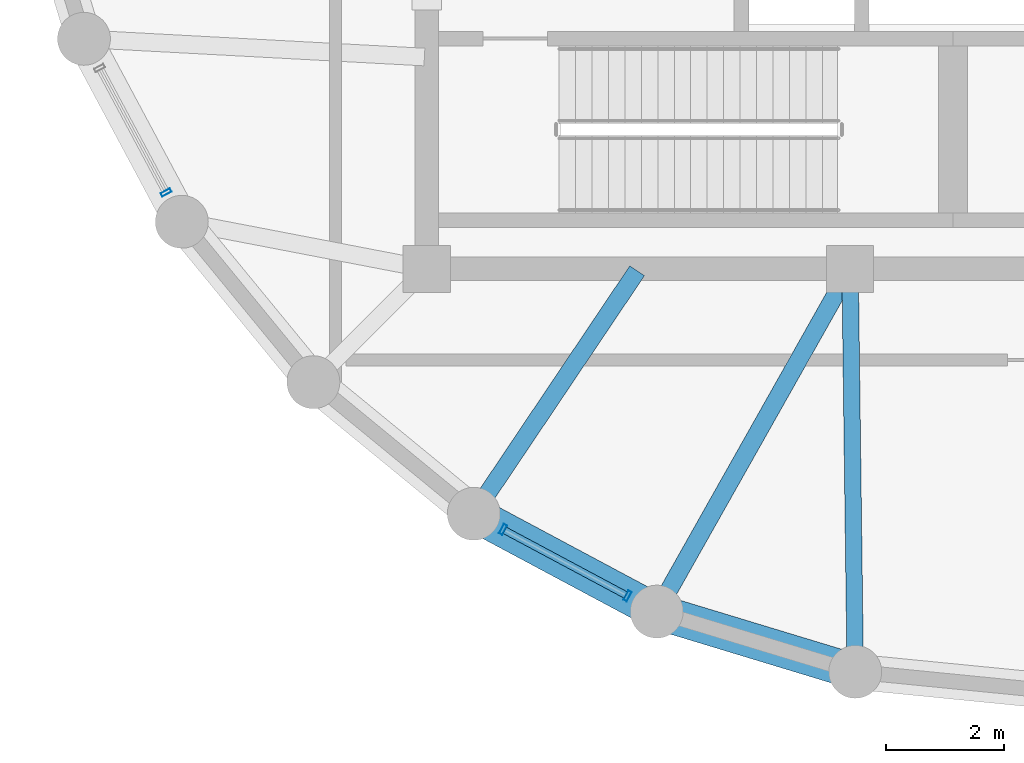
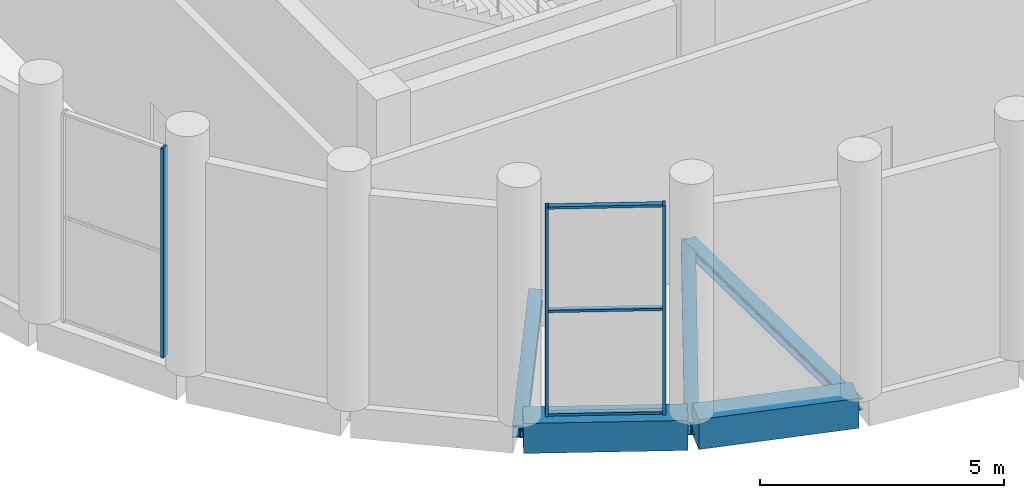
# One storey, part 2 of 17: 6 members, 5 beams, 2 elements without a shape of their own.
"""IFC4 building model written with IfcOpenShell, lengths in metres."""

from ifc_helpers import new_model, si_unit, direction, frame, origin, origin_2d, place, context, subcontext, project, spatial, rectangle, hollow_rectangle, i_section, extrude, material, layer, layer_set, material_profile, profile_set, type_object, element, aggregate, save


model = new_model("IFC4")

# Units and contexts
model_context = context("Model", 3, precision=1e-05, world=origin(), true_north=direction((0.0, 1.0)))
body_context = subcontext(model_context, "Body", "Model", "MODEL_VIEW")
ifc_project = project(units=[si_unit("LENGTHUNIT", "METRE"), si_unit("AREAUNIT", "SQUARE_METRE"), si_unit("VOLUMEUNIT", "CUBIC_METRE"), si_unit("PLANEANGLEUNIT", "RADIAN"), si_unit("MASSUNIT", "GRAM", prefix="KILO")], contexts=[model_context])

# Site, building, storey
site_placement = place(None, origin())
site = spatial("IfcSite", under=ifc_project, at=site_placement, CompositionType="ELEMENT")
building_placement = place(site_placement, origin())
building = spatial("IfcBuilding", under=site, at=building_placement, Name="Solnavia Interchange Tower", CompositionType="ELEMENT")
storey_placement = place(building_placement, frame((0.0, 0.0, 249.800048828125)))
storey = spatial("IfcBuildingStorey", under=building, at=storey_placement, Name="L63", CompositionType="ELEMENT", Elevation=249.800048828125)

# Beams
ifc_material_1 = material(Name="Steel S460", Category="steel")
ifc_material_profile_1 = material_profile(ifc_material_1, i_section(OverallWidth=0.300048828125, OverallDepth=0.300048828125, WebThickness=0.010986328125, FlangeThickness=0.01904296875, FilletRadius=0.027099609375, at=origin_2d()), Name="HEB 300")
ifc_profile_set_1 = profile_set([ifc_material_profile_1], Name="Steel S460")
beam_type_1 = type_object("IfcBeamType", Name="Beam-Girder-HEB300", PredefinedType="BEAM", material=ifc_profile_set_1)
beam_1_placement = place(storey_placement, frame((15.24462890625, 6.700439453125, -0.469970703125), z_axis=(0.557835474219, 0.829951555033, 0.0), x_axis=(-0.829951555033, 0.557835474219, 0.0)))
element("IfcBeam", 1, at=beam_1_placement, inside=storey, type_object=beam_type_1, Name="GRD-L63-DR07 Drum radial floor girder", PredefinedType="BEAM", context=body_context, shape_type="SweptSolid", body=[
    extrude(i_section(OverallWidth=0.300048828125, OverallDepth=0.300048828125, WebThickness=0.010986328125, FlangeThickness=0.01904296875, FilletRadius=0.027099609375, at=origin_2d()), origin(), (0.0, 0.0, 1.0), 4.899658203125),
])
ifc_material_2 = material(Name="Steel S355", Category="steel")
ifc_material_profile_2 = material_profile(ifc_material_2, i_section(OverallWidth=0.280029296875, OverallDepth=0.27001953125, WebThickness=0.008056640625, FlangeThickness=0.012939453125, FilletRadius=0.02392578125, at=origin_2d()), Name="HEA 280")
ifc_profile_set_2 = profile_set([ifc_material_profile_2], Name="Steel S355")
beam_type_2 = type_object("IfcBeamType", Name="Beam-Primary-HEA280", PredefinedType="BEAM", material=ifc_profile_set_2)
beam_2_placement = place(storey_placement, frame((21.68701171875, 4.02587890625, -0.455078125), z_axis=(-0.01283293513, 0.999917654498, 0.0), x_axis=(-0.999917654498, -0.01283293513, 0.0)))
element("IfcBeam", 2, at=beam_2_placement, inside=storey, type_object=beam_type_2, Name="GRD-L63-DR09 Drum radial floor girder", PredefinedType="BEAM", context=body_context, shape_type="SweptSolid", body=[
    extrude(i_section(OverallWidth=0.280029296875, OverallDepth=0.27001953125, WebThickness=0.008056640625, FlangeThickness=0.012939453125, FilletRadius=0.02392578125, at=origin_2d()), origin(), (0.0, 0.0, 1.0), 6.734619140625),
])
ifc_material_profile_3 = material_profile(ifc_material_2, i_section(OverallWidth=0.300048828125, OverallDepth=0.31005859375, WebThickness=0.009033203125, FlangeThickness=0.015380859375, FilletRadius=0.027099609375, at=origin_2d()), Name="HEA 320")
ifc_profile_set_3 = profile_set([ifc_material_profile_3], Name="Steel S355")
beam_type_3 = type_object("IfcBeamType", Name="Beam-Primary-HEA320", PredefinedType="BEAM", material=ifc_profile_set_3)
beam_3_placement = place(storey_placement, frame((18.351318359375, 5.039794921875, -0.47509765625), z_axis=(0.491243158486, 0.871022479182, 0.0), x_axis=(-0.871022479182, 0.491243158486, 0.0)))
element("IfcBeam", 3, at=beam_3_placement, inside=storey, type_object=beam_type_3, Name="GRD-L63-DR08 Drum radial floor girder", PredefinedType="BEAM", context=body_context, shape_type="SweptSolid", body=[
    extrude(i_section(OverallWidth=0.300048828125, OverallDepth=0.31005859375, WebThickness=0.009033203125, FlangeThickness=0.015380859375, FilletRadius=0.027099609375, at=origin_2d()), origin(), (0.0, 0.0, 1.0), 6.5732421875),
])
ifc_material_3 = material(Name="Concrete C50/60", Category="concrete")
ifc_material_profile_4 = material_profile(ifc_material_3, rectangle(XDim=0.60009765625, YDim=0.75, at=origin_2d()), Name="RC 600x750")
ifc_profile_set_4 = profile_set([ifc_material_profile_4], Name="Concrete C50/60")
beam_type_4 = type_object("IfcBeamType", Name="Beam-Spandrel-RC600x750", PredefinedType="SPANDREL", material=ifc_profile_set_4)
beam_4_placement = place(storey_placement, frame((15.2705078125, 6.59619140625, -0.375), z_axis=(0.881875044348, -0.47148319817, 0.0), x_axis=(0.47148319817, 0.881875044348, 0.0)))
element("IfcBeam", 4, at=beam_4_placement, inside=storey, type_object=beam_type_4, Name="SPB-L63-06 Framed-tube perimeter spandrel beam", PredefinedType="SPANDREL", context=body_context, shape_type="SweptSolid", body=[
    extrude(rectangle(XDim=0.60009765625, YDim=0.75, at=origin_2d()), origin(), (0.0, 0.0, 1.0), 3.368896484375),
])
beam_5_placement = place(storey_placement, frame((18.388671875, 4.94677734375, -0.375), z_axis=(0.956943884494, -0.290272978297, 0.0), x_axis=(0.290272978297, 0.956943884494, 0.0)))
element("IfcBeam", 5, at=beam_5_placement, inside=storey, type_object=beam_type_4, Name="SPB-L63-07 Framed-tube perimeter spandrel beam", PredefinedType="SPANDREL", context=body_context, shape_type="SweptSolid", body=[
    extrude(rectangle(XDim=0.60009765625, YDim=0.75, at=origin_2d()), origin(), (0.0, 0.0, 1.0), 3.36767578125),
])

# Curtain wall, member
ifc_material_4 = material(Name="Aluminium Alloy 6063-T6", Category="aluminium")
ifc_layer = layer(ifc_material_4, 0.199951171875)
ifc_layer_set = layer_set([ifc_layer], Name="Aluminium Alloy 6063-T6")
curtain_wall_type = type_object("IfcCurtainWallType", Name="CurtainWall-Louvre-CTW5", PredefinedType="NOTDEFINED", material=ifc_layer_set)
curtain_wall_1_placement = place(storey_placement, origin())
curtain_wall_1 = element("IfcCurtainWall", 6, at=curtain_wall_1_placement, inside=storey, type_object=curtain_wall_type, Name="CTW-L63-L39 CTW-5 curtain wall", PredefinedType="NOTDEFINED")
ifc_material_profile_5 = material_profile(ifc_material_4, hollow_rectangle(XDim=0.06494140625, YDim=0.179931640625, WallThickness=0.00439453125, at=origin_2d()), Name="ALU 180x65x4.5")
ifc_profile_set_5 = profile_set([ifc_material_profile_5], Name="Aluminium Alloy 6063-T6")
member_type_1 = type_object("IfcMemberType", Name="CW-Mullion-CWM-5", PredefinedType="MULLION", material=ifc_profile_set_5)
member_1_placement = place(storey_placement, frame((9.967529296875, 12.09814453125, 0.0), z_axis=(0.0, 0.0, 1.0), x_axis=(0.471527483948, -0.881851366094, 0.0)))
member_1 = element("IfcMember", 7, at=member_1_placement, type_object=member_type_1, Name="CTW-5 mullion 2", PredefinedType="MULLION", context=body_context, shape_type="SweptSolid", body=[
    extrude(hollow_rectangle(XDim=0.06494140625, YDim=0.179931640625, WallThickness=0.00439453125, at=origin_2d()), origin(), (0.0, 0.0, 1.0), 5.22998046875),
])
aggregate(curtain_wall_1, [member_1])

# Curtain wall, members
curtain_wall_2_placement = place(storey_placement, origin())
curtain_wall_2 = element("IfcCurtainWall", 8, at=curtain_wall_2_placement, inside=storey, type_object=curtain_wall_type, Name="CTW-L63-L42 CTW-5 curtain wall", PredefinedType="NOTDEFINED")
member_2_placement = place(storey_placement, frame((15.6982421875, 6.36767578125, 0.0), z_axis=(0.0, 0.0, 1.0), x_axis=(0.881851366094, -0.471527483948, 0.0)))
member_2 = element("IfcMember", 9, at=member_2_placement, type_object=member_type_1, Name="CTW-5 mullion 1", PredefinedType="MULLION", context=body_context, shape_type="SweptSolid", body=[
    extrude(hollow_rectangle(XDim=0.06494140625, YDim=0.179931640625, WallThickness=0.00439453125, at=origin_2d()), origin(), (0.0, 0.0, 1.0), 5.22998046875),
])
member_3_placement = place(storey_placement, frame((17.813720703125, 5.236328125, 0.0), z_axis=(0.0, 0.0, 1.0), x_axis=(0.881851366094, -0.471527483948, 0.0)))
member_3 = element("IfcMember", 10, at=member_3_placement, type_object=member_type_1, Name="CTW-5 mullion 2", PredefinedType="MULLION", context=body_context, shape_type="SweptSolid", body=[
    extrude(hollow_rectangle(XDim=0.06494140625, YDim=0.179931640625, WallThickness=0.00439453125, at=origin_2d()), origin(), (0.0, 0.0, 1.0), 5.22998046875),
])
ifc_material_profile_6 = material_profile(ifc_material_4, hollow_rectangle(XDim=0.06005859375, YDim=0.1201171875, WallThickness=0.00390625, at=origin_2d()), Name="ALU 120x60x4")
ifc_profile_set_6 = profile_set([ifc_material_profile_6], Name="Aluminium Alloy 6063-T6")
member_type_2 = type_object("IfcMemberType", Name="CW-Transom-CWT-5", PredefinedType="USERDEFINED", material=ifc_profile_set_6)
member_4_placement = place(storey_placement, frame((15.726806640625, 6.352294921875, 0.030029296875), z_axis=(0.881854436692, -0.471521741265, 0.0), x_axis=(0.0, 0.0, 1.0)))
member_4 = element("IfcMember", 11, at=member_4_placement, type_object=member_type_2, Name="CTW-5 transom 1.1", ObjectType="TRANSOM", PredefinedType="USERDEFINED", context=body_context, shape_type="SweptSolid", body=[
    extrude(hollow_rectangle(XDim=0.06005859375, YDim=0.1201171875, WallThickness=0.00390625, at=origin_2d()), origin(), (0.0, 0.0, 1.0), 2.334228515625),
])
member_5_placement = place(storey_placement, frame((15.726806640625, 6.352294921875, 2.614990234375), z_axis=(0.881854436692, -0.471521741265, 0.0), x_axis=(0.0, 0.0, 1.0)))
member_5 = element("IfcMember", 12, at=member_5_placement, type_object=member_type_2, Name="CTW-5 transom 1.2", ObjectType="TRANSOM", PredefinedType="USERDEFINED", context=body_context, shape_type="SweptSolid", body=[
    extrude(hollow_rectangle(XDim=0.06005859375, YDim=0.1201171875, WallThickness=0.00390625, at=origin_2d()), origin(), (0.0, 0.0, 1.0), 2.334228515625),
])
member_6_placement = place(storey_placement, frame((15.726806640625, 6.352294921875, 5.199951171875), z_axis=(0.881854436692, -0.471521741265, 0.0), x_axis=(0.0, 0.0, 1.0)))
member_6 = element("IfcMember", 13, at=member_6_placement, type_object=member_type_2, Name="CTW-5 transom 1.3", ObjectType="TRANSOM", PredefinedType="USERDEFINED", context=body_context, shape_type="SweptSolid", body=[
    extrude(hollow_rectangle(XDim=0.06005859375, YDim=0.1201171875, WallThickness=0.00390625, at=origin_2d()), origin(), (0.0, 0.0, 1.0), 2.334228515625),
])
aggregate(curtain_wall_2, [member_2, member_3, member_4, member_5, member_6])

save(model, "model.ifc")
